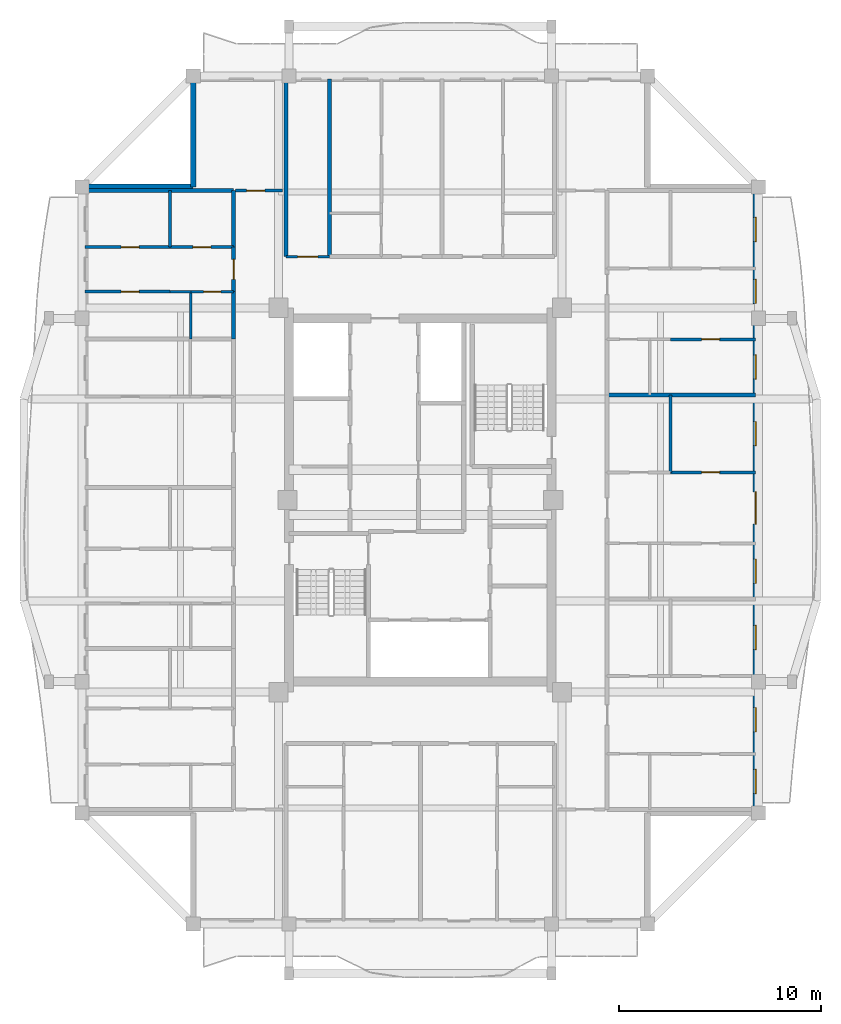
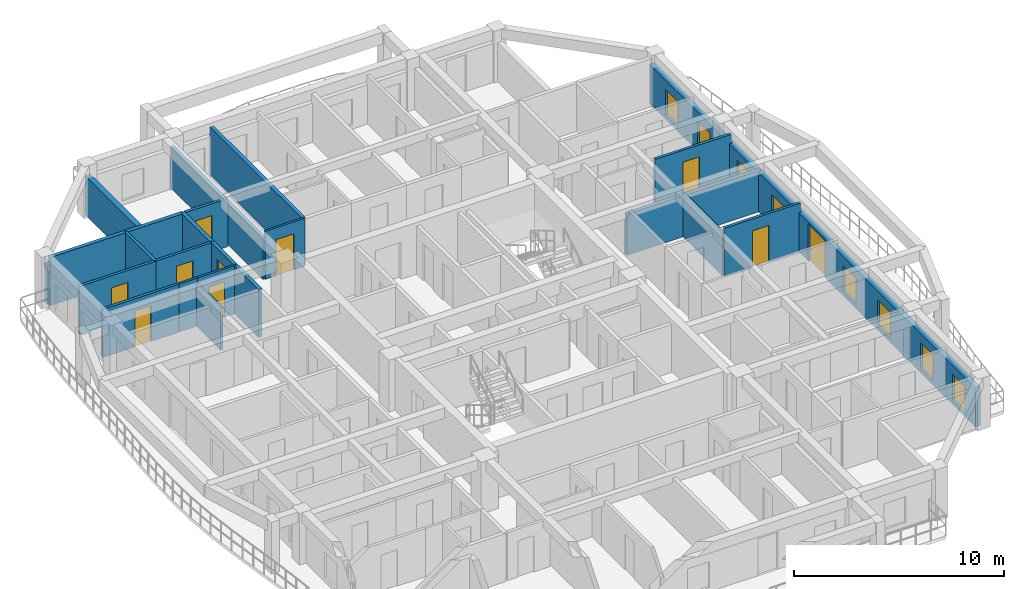
# One storey, part 6 of 14: 22 walls, 10 doors, 8 windows, 18 openings.
"""IFC4 building model written with IfcOpenShell, lengths in metres."""

from ifc_helpers import new_model, si_unit, direction, frame, frame_2d, origin, place, context, subcontext, project, spatial, rectangle, extrude, source, transform, mapped, material, layer, layer_set, type_object, element, fill, save


model = new_model("IFC4")

# Units and contexts
model_context = context("Model", 3, precision=1e-05, world=origin(), true_north=direction((0.0, 1.0)))
body_context = subcontext(model_context, "Body", "Model", "MODEL_VIEW")
ifc_project = project(units=[si_unit("LENGTHUNIT", "METRE"), si_unit("AREAUNIT", "SQUARE_METRE"), si_unit("VOLUMEUNIT", "CUBIC_METRE"), si_unit("PLANEANGLEUNIT", "RADIAN"), si_unit("MASSUNIT", "GRAM", prefix="KILO")], contexts=[model_context])

# Site, building, storey
site_placement = place(None, origin())
site = spatial("IfcSite", under=ifc_project, at=site_placement, CompositionType="ELEMENT")
building_placement = place(site_placement, origin())
building = spatial("IfcBuilding", under=site, at=building_placement, Name="Saelheon Loggia Tower", CompositionType="ELEMENT")
storey_placement = place(building_placement, frame((0.0, 0.0, 233.10009765625)))
storey = spatial("IfcBuildingStorey", under=building, at=storey_placement, Name="L72", CompositionType="ELEMENT", Elevation=233.10009765625)

# Wall, openings, windows, door
ifc_material_1 = material(Name="Architectural Precast Concrete C40/50", Category="concrete")
ifc_layer_1 = layer(ifc_material_1, 0.280029296875)
ifc_layer_set_1 = layer_set([ifc_layer_1], Name="Architectural Precast Concrete C40/50")
wall_type_1 = type_object("IfcWallType", Name="Wall_Ext_Loggia_280", PredefinedType="SOLIDWALL", material=ifc_layer_set_1)
wall_1_placement = place(storey_placement, frame((54.610107421875, 11.5, 0.0), z_axis=(0.0, 0.0, 1.0), x_axis=(0.0, 1.0, 0.0)))
wall_1 = element("IfcWall", 1, at=wall_1_placement, inside=storey, type_object=wall_type_1, Name="L72 East Loggia Inner Wall", PredefinedType="SOLIDWALL", context=body_context, shape_type="SweptSolid", body=[
    extrude(rectangle(XDim=31.0, YDim=0.280029296875, at=frame_2d((15.5, 0.0))), origin(), (0.0, 0.0, 1.0), 2.27978515625),
])
opening_1_placement = place(wall_1_placement, frame((0.9599609375, 0.0, 0.25)))
opening_1 = element("IfcOpeningElement", 2, at=opening_1_placement, cuts=wall_1, Name="Opening WN-03", PredefinedType="OPENING", context=body_context, shape_type="SweptSolid", body=[
    extrude(rectangle(XDim=1.199951171875, YDim=1.5, at=frame_2d((0.60009765625, 0.75))), frame((0.0, 0.152099609375, 0.0), z_axis=(0.0, -1.0, 0.0), x_axis=(1.0, 0.0, 0.0)), (0.0, 0.0, 1.0), 0.303955078125),
])
opening_2_placement = place(wall_1_placement, frame((4.02001953125, 0.0, 0.25)))
opening_2 = element("IfcOpeningElement", 3, at=opening_2_placement, cuts=wall_1, Name="Opening WN-03", PredefinedType="OPENING", context=body_context, shape_type="SweptSolid", body=[
    extrude(rectangle(XDim=1.199951171875, YDim=1.5, at=frame_2d((0.60009765625, 0.75))), frame((0.0, 0.152099609375, 0.0), z_axis=(0.0, -1.0, 0.0), x_axis=(1.0, 0.0, 0.0)), (0.0, 0.0, 1.0), 0.303955078125),
])
opening_3_placement = place(wall_1_placement, frame((8.0888671875, 0.0, 0.25)))
opening_3 = element("IfcOpeningElement", 4, at=opening_3_placement, cuts=wall_1, Name="Opening WN-03", PredefinedType="OPENING", context=body_context, shape_type="SweptSolid", body=[
    extrude(rectangle(XDim=1.199951171875, YDim=1.5, at=frame_2d((0.60009765625, 0.75))), frame((0.0, 0.152099609375, 0.0), z_axis=(0.0, -1.0, 0.0), x_axis=(1.0, 0.0, 0.0)), (0.0, 0.0, 1.0), 0.303955078125),
])
opening_4_placement = place(wall_1_placement, frame((11.37255859375, 0.0, 0.25)))
opening_4 = element("IfcOpeningElement", 5, at=opening_4_placement, cuts=wall_1, Name="Opening WN-03", PredefinedType="OPENING", context=body_context, shape_type="SweptSolid", body=[
    extrude(rectangle(XDim=1.199951171875, YDim=1.5, at=frame_2d((0.60009765625, 0.75))), frame((0.0, 0.152099609375, 0.0), z_axis=(0.0, -1.0, 0.0), x_axis=(1.0, 0.0, 0.0)), (0.0, 0.0, 1.0), 0.303955078125),
])
opening_5_placement = place(wall_1_placement, frame((15.906982421875, 0.0, 0.0), z_axis=(0.0, 0.0, 1.0), x_axis=(-1.0, 0.0, 0.0)))
opening_5 = element("IfcOpeningElement", 6, at=opening_5_placement, cuts=wall_1, Name="Opening DLG-1", PredefinedType="OPENING", context=body_context, shape_type="SweptSolid", body=[
    extrude(rectangle(XDim=1.60009765625, YDim=2.14990234375, at=frame_2d((0.800048828125, 1.074951171875))), frame((0.0, 0.152099609375, 0.0), z_axis=(0.0, -1.0, 0.0), x_axis=(1.0, 0.0, 0.0)), (0.0, 0.0, 1.0), 0.303955078125),
])
opening_6_placement = place(wall_1_placement, frame((18.1875, 0.0, 0.25)))
opening_6 = element("IfcOpeningElement", 7, at=opening_6_placement, cuts=wall_1, Name="Opening WN-03", PredefinedType="OPENING", context=body_context, shape_type="SweptSolid", body=[
    extrude(rectangle(XDim=1.199951171875, YDim=1.5, at=frame_2d((0.60009765625, 0.75))), frame((0.0, 0.152099609375, 0.0), z_axis=(0.0, -1.0, 0.0), x_axis=(1.0, 0.0, 0.0)), (0.0, 0.0, 1.0), 0.303955078125),
])
opening_7_placement = place(wall_1_placement, frame((21.48388671875, 0.0, 0.25)))
opening_7 = element("IfcOpeningElement", 8, at=opening_7_placement, cuts=wall_1, Name="Opening WN-03", PredefinedType="OPENING", context=body_context, shape_type="SweptSolid", body=[
    extrude(rectangle(XDim=1.199951171875, YDim=1.5, at=frame_2d((0.60009765625, 0.75))), frame((0.0, 0.152099609375, 0.0), z_axis=(0.0, -1.0, 0.0), x_axis=(1.0, 0.0, 0.0)), (0.0, 0.0, 1.0), 0.303955078125),
])
opening_8_placement = place(wall_1_placement, frame((25.23388671875, 0.0, 0.25)))
opening_8 = element("IfcOpeningElement", 9, at=opening_8_placement, cuts=wall_1, Name="Opening WN-03", PredefinedType="OPENING", context=body_context, shape_type="SweptSolid", body=[
    extrude(rectangle(XDim=1.199951171875, YDim=1.5, at=frame_2d((0.60009765625, 0.75))), frame((0.0, 0.152099609375, 0.0), z_axis=(0.0, -1.0, 0.0), x_axis=(1.0, 0.0, 0.0)), (0.0, 0.0, 1.0), 0.303955078125),
])
opening_9_placement = place(wall_1_placement, frame((28.293701171875, 0.0, 0.25)))
opening_9 = element("IfcOpeningElement", 10, at=opening_9_placement, cuts=wall_1, Name="Opening WN-03", PredefinedType="OPENING", context=body_context, shape_type="SweptSolid", body=[
    extrude(rectangle(XDim=1.199951171875, YDim=1.5, at=frame_2d((0.60009765625, 0.75))), frame((0.0, 0.152099609375, 0.0), z_axis=(0.0, -1.0, 0.0), x_axis=(1.0, 0.0, 0.0)), (0.0, 0.0, 1.0), 0.303955078125),
])
ifc_material_2 = material(Name="Thermal-Break Aluminium and Triple Low-E Glass", Category="aluminium")
window_type = type_object("IfcWindowType", Name="Win_Bedroom_1200x1500", PartitioningType="SINGLE_PANEL", PredefinedType="WINDOW", material=ifc_material_2)
shared_shape_1 = source(origin(), body_context, "Body", "SweptSolid", [
    extrude(rectangle(XDim=1.199951171875, YDim=1.5, at=frame_2d((0.60009765625, 0.75))), frame((0.0, 0.030029296875, 0.0), z_axis=(0.0, -1.0, 0.0), x_axis=(1.0, 0.0, 0.0)), (0.0, 0.0, 1.0), 0.06005859375),
])
window_1_placement = place(opening_1_placement, origin())
window_1 = element("IfcWindow", 11, at=window_1_placement, inside=storey, type_object=window_type, Name="L72 E Dwelling Window 1", OverallHeight=1.5, OverallWidth=1.199951171875, PartitioningType="SINGLE_PANEL", PredefinedType="WINDOW", context=body_context, shape_type="MappedRepresentation", body=[
    mapped(shared_shape_1, transform((0.0, 0.0, 0.0), scale=1.0)),
])
fill(opening_1, window_1)
window_2_placement = place(opening_2_placement, origin())
window_2 = element("IfcWindow", 12, at=window_2_placement, inside=storey, type_object=window_type, Name="L72 E Dwelling Window 2", OverallHeight=1.5, OverallWidth=1.199951171875, PartitioningType="SINGLE_PANEL", PredefinedType="WINDOW", context=body_context, shape_type="MappedRepresentation", body=[
    mapped(shared_shape_1, transform((0.0, 0.0, 0.0), scale=1.0)),
])
fill(opening_2, window_2)
window_3_placement = place(opening_3_placement, origin())
window_3 = element("IfcWindow", 13, at=window_3_placement, inside=storey, type_object=window_type, Name="L72 E Dwelling Window 3", OverallHeight=1.5, OverallWidth=1.199951171875, PartitioningType="SINGLE_PANEL", PredefinedType="WINDOW", context=body_context, shape_type="MappedRepresentation", body=[
    mapped(shared_shape_1, transform((0.0, 0.0, 0.0), scale=1.0)),
])
fill(opening_3, window_3)
window_4_placement = place(opening_4_placement, origin())
window_4 = element("IfcWindow", 14, at=window_4_placement, inside=storey, type_object=window_type, Name="L72 E Dwelling Window 4", OverallHeight=1.5, OverallWidth=1.199951171875, PartitioningType="SINGLE_PANEL", PredefinedType="WINDOW", context=body_context, shape_type="MappedRepresentation", body=[
    mapped(shared_shape_1, transform((0.0, 0.0, 0.0), scale=1.0)),
])
fill(opening_4, window_4)
window_5_placement = place(opening_6_placement, origin())
window_5 = element("IfcWindow", 15, at=window_5_placement, inside=storey, type_object=window_type, Name="L72 E Dwelling Window 6", OverallHeight=1.5, OverallWidth=1.199951171875, PartitioningType="SINGLE_PANEL", PredefinedType="WINDOW", context=body_context, shape_type="MappedRepresentation", body=[
    mapped(shared_shape_1, transform((0.0, 0.0, 0.0), scale=1.0)),
])
fill(opening_6, window_5)
window_6_placement = place(opening_7_placement, origin())
window_6 = element("IfcWindow", 16, at=window_6_placement, inside=storey, type_object=window_type, Name="L72 E Dwelling Window 7", OverallHeight=1.5, OverallWidth=1.199951171875, PartitioningType="SINGLE_PANEL", PredefinedType="WINDOW", context=body_context, shape_type="MappedRepresentation", body=[
    mapped(shared_shape_1, transform((0.0, 0.0, 0.0), scale=1.0)),
])
fill(opening_7, window_6)
window_7_placement = place(opening_8_placement, origin())
window_7 = element("IfcWindow", 17, at=window_7_placement, inside=storey, type_object=window_type, Name="L72 E Dwelling Window 8", OverallHeight=1.5, OverallWidth=1.199951171875, PartitioningType="SINGLE_PANEL", PredefinedType="WINDOW", context=body_context, shape_type="MappedRepresentation", body=[
    mapped(shared_shape_1, transform((0.0, 0.0, 0.0), scale=1.0)),
])
fill(opening_8, window_7)
window_8_placement = place(opening_9_placement, origin())
window_8 = element("IfcWindow", 18, at=window_8_placement, inside=storey, type_object=window_type, Name="L72 E Dwelling Window 9", OverallHeight=1.5, OverallWidth=1.199951171875, PartitioningType="SINGLE_PANEL", PredefinedType="WINDOW", context=body_context, shape_type="MappedRepresentation", body=[
    mapped(shared_shape_1, transform((0.0, 0.0, 0.0), scale=1.0)),
])
fill(opening_9, window_8)
ifc_material_3 = material(Name="Thermal-Break Aluminium Sliding Glazed Door", Category="aluminium")
door_type_1 = type_object("IfcDoorType", Name="Door_LoggiaSlide_1600", OperationType="SLIDING_TO_LEFT", PredefinedType="DOOR", material=ifc_material_3)
shared_shape_2 = source(origin(), body_context, "Body", "SweptSolid", [
    extrude(rectangle(XDim=1.60009765625, YDim=2.14990234375, at=frame_2d((0.800048828125, 1.074951171875))), frame((0.0, 0.02490234375, 0.0), z_axis=(0.0, -1.0, 0.0), x_axis=(1.0, 0.0, 0.0)), (0.0, 0.0, 1.0), 0.050048828125),
])
door_1_placement = place(opening_5_placement, origin())
door_1 = element("IfcDoor", 19, at=door_1_placement, inside=storey, type_object=door_type_1, Name="L72 E Loggia Access Door", OperationType="SLIDING_TO_LEFT", OverallHeight=2.14990234375, OverallWidth=1.60009765625, PredefinedType="DOOR", context=body_context, shape_type="MappedRepresentation", body=[
    mapped(shared_shape_2, transform((0.0, 0.0, 0.0), scale=1.0)),
])
fill(opening_5, door_1)

# Walls
for number, where, z_axis, x_axis, name in (
    (20, (26.75, 42.5, 0.0), (0.0, 0.0, 1.0), (0.0, 1.0, 0.0), "L72 Corner Notch Precast Wall NW1"),
    (21, (21.330078125, 42.5, 0.0), (0.0, 0.0, 1.0), (1.0, 0.0, 0.0), "L72 Corner Notch Precast Wall NW2"),
):
    element("IfcWall", number, at=place(storey_placement, frame(where, z_axis=z_axis, x_axis=x_axis)), inside=storey, type_object=wall_type_1, Name=name, PredefinedType="SOLIDWALL", context=body_context, shape_type="SweptSolid", body=[
        extrude(rectangle(XDim=5.419921875, YDim=0.280029296875, at=frame_2d((2.7099609375, 0.0))), origin(), (0.0, 0.0, 1.0), 2.27978515625),
    ])

# Wall, opening, door
ifc_material_4 = material(Name="Lightweight Autoclaved Aerated Concrete Block and Acoustic Gypsum", Category="concrete")
ifc_layer_2 = layer(ifc_material_4, 0.14990234375)
ifc_layer_set_2 = layer_set([ifc_layer_2], Name="Lightweight Autoclaved Aerated Concrete Block and Acoustic Gypsum")
wall_type_2 = type_object("IfcWallType", Name="Wall_Part_150", PredefinedType="PARTITIONING", material=ifc_layer_set_2)
wall_2_placement = place(storey_placement, frame((28.85009765625, 42.320068359375, 0.0), z_axis=(0.0, 0.0, 1.0), x_axis=(1.0, 0.0, 0.0)))
wall_2 = element("IfcWall", 22, at=wall_2_placement, inside=storey, type_object=wall_type_2, Name="PW-L72-CNW-H", PredefinedType="PARTITIONING", context=body_context, shape_type="SweptSolid", body=[
    extrude(rectangle(XDim=2.329833984375, YDim=0.14990234375, at=frame_2d((1.1650390625, 0.0))), origin(), (0.0, 0.0, 1.0), 2.789794921875),
])
opening_10_placement = place(wall_2_placement, frame((0.550048828125, 0.0, 0.0)))
opening_10 = element("IfcOpeningElement", 23, at=opening_10_placement, cuts=wall_2, Name="Opening D-IN2", PredefinedType="OPENING", context=body_context, shape_type="SweptSolid", body=[
    extrude(rectangle(XDim=0.89990234375, YDim=2.10009765625, at=frame_2d((0.449951171875, 1.050048828125))), frame((0.0, 0.0869140625, 0.0), z_axis=(0.0, -1.0, 0.0), x_axis=(1.0, 0.0, 0.0)), (0.0, 0.0, 1.0), 0.173828125),
])
ifc_material_5 = material(Name="Engineered Oak Flush Door", Category="timber")
door_type_2 = type_object("IfcDoorType", Name="Door_Int_900", OperationType="NOTDEFINED", PredefinedType="DOOR", material=ifc_material_5)
shared_shape_3 = source(origin(), body_context, "Body", "SweptSolid", [
    extrude(rectangle(XDim=0.89990234375, YDim=2.10009765625, at=frame_2d((0.449951171875, 1.050048828125))), frame((0.0, 0.02490234375, 0.0), z_axis=(0.0, -1.0, 0.0), x_axis=(1.0, 0.0, 0.0)), (0.0, 0.0, 1.0), 0.050048828125),
])
door_2_placement = place(opening_10_placement, origin())
door_2 = element("IfcDoor", 24, at=door_2_placement, inside=storey, type_object=door_type_2, Name="L72 Corner Home Office NW Door", OperationType="SINGLE_SWING_RIGHT", OverallHeight=2.10009765625, OverallWidth=0.89990234375, PredefinedType="DOOR", context=body_context, shape_type="MappedRepresentation", body=[
    mapped(shared_shape_3, transform((0.0, 0.0, 0.0), scale=1.0)),
])
fill(opening_10, door_2)

# Wall
wall_3_placement = place(storey_placement, frame((25.610107421875, 39.525634765625, 0.0), z_axis=(0.0, 0.0, 1.0), x_axis=(0.0, 1.0, 0.0)))
element("IfcWall", 25, at=wall_3_placement, inside=storey, type_object=wall_type_2, Name="L72 W Partition V36", PredefinedType="PARTITIONING", context=body_context, shape_type="SweptSolid", body=[
    extrude(rectangle(XDim=2.79443359375, YDim=0.14990234375, at=frame_2d((1.397216796875, 0.0))), origin(), (0.0, 0.0, 1.0), 2.789794921875),
])

# Wall, opening, door
wall_4_placement = place(storey_placement, frame((25.610107421875, 37.320068359375, 0.0), z_axis=(0.0, 0.0, 1.0), x_axis=(-1.0, 0.0, 0.0)))
wall_4 = element("IfcWall", 26, at=wall_4_placement, inside=storey, type_object=wall_type_2, Name="L72 W Partition U39", PredefinedType="PARTITIONING", context=body_context, shape_type="SweptSolid", body=[
    extrude(rectangle(XDim=4.210205078125, YDim=0.14990234375, at=frame_2d((2.10498046875, 0.0))), origin(), (0.0, 0.0, 1.0), 2.789794921875),
])
opening_11_placement = place(wall_4_placement, frame((1.537109375, 0.0, 0.0)))
opening_11 = element("IfcOpeningElement", 27, at=opening_11_placement, cuts=wall_4, Name="Opening D-IN2", PredefinedType="OPENING", context=body_context, shape_type="SweptSolid", body=[
    extrude(rectangle(XDim=0.89990234375, YDim=2.10009765625, at=frame_2d((0.449951171875, 1.050048828125))), frame((0.0, 0.0869140625, 0.0), z_axis=(0.0, -1.0, 0.0), x_axis=(1.0, 0.0, 0.0)), (0.0, 0.0, 1.0), 0.173828125),
])
door_3_placement = place(opening_11_placement, origin())
door_3 = element("IfcDoor", 28, at=door_3_placement, inside=storey, type_object=door_type_2, Name="Unit U08 Kitchen Door", OperationType="SINGLE_SWING_LEFT", OverallHeight=2.10009765625, OverallWidth=0.89990234375, PredefinedType="DOOR", context=body_context, shape_type="MappedRepresentation", body=[
    mapped(shared_shape_3, transform((0.0, 0.0, 0.0), scale=1.0)),
])
fill(opening_11, door_3)

wall_5_placement = place(storey_placement, frame((28.75, 39.525634765625, 0.0), z_axis=(0.0, 0.0, 1.0), x_axis=(-1.0, 0.0, 0.0)))
wall_5 = element("IfcWall", 29, at=wall_5_placement, inside=storey, type_object=wall_type_2, Name="L72 W Partition U40", PredefinedType="PARTITIONING", context=body_context, shape_type="SweptSolid", body=[
    extrude(rectangle(XDim=3.139892578125, YDim=0.14990234375, at=frame_2d((1.56982421875, 0.0))), origin(), (0.0, 0.0, 1.0), 2.789794921875),
])
opening_12_placement = place(wall_5_placement, frame((1.1201171875, 0.0, 0.0)))
opening_12 = element("IfcOpeningElement", 30, at=opening_12_placement, cuts=wall_5, Name="Opening D-IN2", PredefinedType="OPENING", context=body_context, shape_type="SweptSolid", body=[
    extrude(rectangle(XDim=0.89990234375, YDim=2.10009765625, at=frame_2d((0.449951171875, 1.050048828125))), frame((0.0, 0.0869140625, 0.0), z_axis=(0.0, -1.0, 0.0), x_axis=(1.0, 0.0, 0.0)), (0.0, 0.0, 1.0), 0.173828125),
])
door_4_placement = place(opening_12_placement, origin())
door_4 = element("IfcDoor", 31, at=door_4_placement, inside=storey, type_object=door_type_2, Name="Unit U08 Dressing Closet Door", OperationType="SINGLE_SWING_RIGHT", OverallHeight=2.10009765625, OverallWidth=0.89990234375, PredefinedType="DOOR", context=body_context, shape_type="MappedRepresentation", body=[
    mapped(shared_shape_3, transform((0.0, 0.0, 0.0), scale=1.0)),
])
fill(opening_12, door_4)

wall_6_placement = place(storey_placement, frame((25.610107421875, 39.525634765625, 0.0), z_axis=(0.0, 0.0, 1.0), x_axis=(-1.0, 0.0, 0.0)))
wall_6 = element("IfcWall", 32, at=wall_6_placement, inside=storey, type_object=wall_type_2, Name="L72 W Partition U41", PredefinedType="PARTITIONING", context=body_context, shape_type="SweptSolid", body=[
    extrude(rectangle(XDim=4.210205078125, YDim=0.14990234375, at=frame_2d((2.10498046875, 0.0))), origin(), (0.0, 0.0, 1.0), 2.789794921875),
])
opening_13_placement = place(wall_6_placement, frame((1.537109375, 0.0, 0.0)))
opening_13 = element("IfcOpeningElement", 33, at=opening_13_placement, cuts=wall_6, Name="Opening D-IN2", PredefinedType="OPENING", context=body_context, shape_type="SweptSolid", body=[
    extrude(rectangle(XDim=0.89990234375, YDim=2.10009765625, at=frame_2d((0.449951171875, 1.050048828125))), frame((0.0, 0.0869140625, 0.0), z_axis=(0.0, -1.0, 0.0), x_axis=(1.0, 0.0, 0.0)), (0.0, 0.0, 1.0), 0.173828125),
])
door_5_placement = place(opening_13_placement, origin())
door_5 = element("IfcDoor", 34, at=door_5_placement, inside=storey, type_object=door_type_2, Name="Unit U08 Bedroom 1 Door", OperationType="SINGLE_SWING_LEFT", OverallHeight=2.10009765625, OverallWidth=0.89990234375, PredefinedType="DOOR", context=body_context, shape_type="MappedRepresentation", body=[
    mapped(shared_shape_3, transform((0.0, 0.0, 0.0), scale=1.0)),
])
fill(opening_13, door_5)

# Wall
wall_7_placement = place(storey_placement, frame((50.389892578125, 28.366455078125, 0.0), z_axis=(0.0, 0.0, 1.0), x_axis=(0.0, 1.0, 0.0)))
element("IfcWall", 35, at=wall_7_placement, inside=storey, type_object=wall_type_2, Name="L72 E Partition V18", PredefinedType="PARTITIONING", context=body_context, shape_type="SweptSolid", body=[
    extrude(rectangle(XDim=3.84228515625, YDim=0.14990234375, at=frame_2d((1.921142578125, 0.0))), origin(), (0.0, 0.0, 1.0), 2.489990234375),
])

# Wall, opening, door
wall_8_placement = place(storey_placement, frame((50.389892578125, 28.366455078125, 0.0), z_axis=(0.0, 0.0, 1.0), x_axis=(1.0, 0.0, 0.0)))
wall_8 = element("IfcWall", 36, at=wall_8_placement, inside=storey, type_object=wall_type_2, Name="L72 E Partition U23", PredefinedType="PARTITIONING", context=body_context, shape_type="SweptSolid", body=[
    extrude(rectangle(XDim=4.210205078125, YDim=0.14990234375, at=frame_2d((2.10498046875, 0.0))), origin(), (0.0, 0.0, 1.0), 2.789794921875),
])
opening_14_placement = place(wall_8_placement, frame((1.537109375, 0.0, 0.0)))
opening_14 = element("IfcOpeningElement", 37, at=opening_14_placement, cuts=wall_8, Name="Opening D-IN2", PredefinedType="OPENING", context=body_context, shape_type="SweptSolid", body=[
    extrude(rectangle(XDim=0.89990234375, YDim=2.10009765625, at=frame_2d((0.449951171875, 1.050048828125))), frame((0.0, 0.0869140625, 0.0), z_axis=(0.0, -1.0, 0.0), x_axis=(1.0, 0.0, 0.0)), (0.0, 0.0, 1.0), 0.173828125),
])
door_6_placement = place(opening_14_placement, origin())
door_6 = element("IfcDoor", 38, at=door_6_placement, inside=storey, type_object=door_type_2, Name="Unit U10 Bedroom 1 Door", OperationType="SINGLE_SWING_LEFT", OverallHeight=2.10009765625, OverallWidth=0.89990234375, PredefinedType="DOOR", context=body_context, shape_type="MappedRepresentation", body=[
    mapped(shared_shape_3, transform((0.0, 0.0, 0.0), scale=1.0)),
])
fill(opening_14, door_6)

wall_9_placement = place(storey_placement, frame((50.389892578125, 34.958740234375, 0.0), z_axis=(0.0, 0.0, 1.0), x_axis=(1.0, 0.0, 0.0)))
wall_9 = element("IfcWall", 39, at=wall_9_placement, inside=storey, type_object=wall_type_2, Name="L72 E Partition U32", PredefinedType="PARTITIONING", context=body_context, shape_type="SweptSolid", body=[
    extrude(rectangle(XDim=4.210205078125, YDim=0.14990234375, at=frame_2d((2.10498046875, 0.0))), origin(), (0.0, 0.0, 1.0), 2.789794921875),
])
opening_15_placement = place(wall_9_placement, frame((1.537109375, 0.0, 0.0)))
opening_15 = element("IfcOpeningElement", 40, at=opening_15_placement, cuts=wall_9, Name="Opening D-IN2", PredefinedType="OPENING", context=body_context, shape_type="SweptSolid", body=[
    extrude(rectangle(XDim=0.89990234375, YDim=2.10009765625, at=frame_2d((0.449951171875, 1.050048828125))), frame((0.0, 0.0869140625, 0.0), z_axis=(0.0, -1.0, 0.0), x_axis=(1.0, 0.0, 0.0)), (0.0, 0.0, 1.0), 0.173828125),
])
door_7_placement = place(opening_15_placement, origin())
door_7 = element("IfcDoor", 41, at=door_7_placement, inside=storey, type_object=door_type_2, Name="Unit U11 Kitchen Door", OperationType="SINGLE_SWING_RIGHT", OverallHeight=2.10009765625, OverallWidth=0.89990234375, PredefinedType="DOOR", context=body_context, shape_type="MappedRepresentation", body=[
    mapped(shared_shape_3, transform((0.0, 0.0, 0.0), scale=1.0)),
])
fill(opening_15, door_7)

# Walls
ifc_material_6 = material(Name="Double Acoustic Stud and Fireboard Partition", Category="gypsum")
ifc_layer_3 = layer(ifc_material_6, 0.199951171875)
ifc_layer_set_3 = layer_set([ifc_layer_3], Name="Double Acoustic Stud and Fireboard Partition")
wall_type_3 = type_object("IfcWallType", Name="Wall_Party_200", PredefinedType="PARTITIONING", material=ifc_layer_set_3)
wall_10_placement = place(storey_placement, frame((31.35009765625, 39.050048828125, 0.0), z_axis=(0.0, 0.0, 1.0), x_axis=(0.0, 1.0, 0.0)))
element("IfcWall", 42, at=wall_10_placement, inside=storey, type_object=wall_type_3, Name="L72 N Partition U01", PredefinedType="PARTITIONING", context=body_context, shape_type="SweptSolid", body=[
    extrude(rectangle(XDim=8.800048828125, YDim=0.199951171875, at=frame_2d((4.39990234375, 0.0))), origin(), (0.0, 0.0, 1.0), 2.389892578125),
])
wall_11_placement = place(storey_placement, frame((33.5, 39.050048828125, 0.0), z_axis=(0.0, 0.0, 1.0), x_axis=(0.0, 1.0, 0.0)))
element("IfcWall", 43, at=wall_11_placement, inside=storey, type_object=wall_type_3, Name="L72 N Partition U03", PredefinedType="PARTITIONING", context=body_context, shape_type="SweptSolid", body=[
    extrude(rectangle(XDim=8.800048828125, YDim=0.199951171875, at=frame_2d((4.39990234375, 0.0))), origin(), (0.0, 0.0, 1.0), 2.789794921875),
])
wall_12_placement = place(storey_placement, frame((28.75, 42.320068359375, 0.0), z_axis=(0.0, 0.0, 1.0), x_axis=(-1.0, 0.0, 0.0)))
element("IfcWall", 44, at=wall_12_placement, inside=storey, type_object=wall_type_3, Name="L72 W Partition U02", PredefinedType="PARTITIONING", context=body_context, shape_type="SweptSolid", body=[
    extrude(rectangle(XDim=7.35009765625, YDim=0.199951171875, at=frame_2d((3.675048828125, 0.0))), origin(), (0.0, 0.0, 1.0), 2.789794921875),
])
wall_13_placement = place(storey_placement, frame((28.75, 34.96630859375, 0.0), z_axis=(0.0, 0.0, 1.0), x_axis=(0.0, 1.0, 0.0)))
element("IfcWall", 45, at=wall_13_placement, inside=storey, type_object=wall_type_3, Name="L72 W Partition V32", PredefinedType="PARTITIONING", context=body_context, shape_type="SweptSolid", body=[
    extrude(rectangle(XDim=2.353759765625, YDim=0.199951171875, at=frame_2d((1.1767578125, 0.0))), origin(), (0.0, 0.0, 1.0), 2.789794921875),
])

# Wall, opening, door
wall_14_placement = place(storey_placement, frame((28.75, 37.320068359375, 0.0), z_axis=(0.0, 0.0, 1.0), x_axis=(0.0, 1.0, 0.0)))
wall_14 = element("IfcWall", 46, at=wall_14_placement, inside=storey, type_object=wall_type_3, Name="L72 W Partition V33", PredefinedType="PARTITIONING", context=body_context, shape_type="SweptSolid", body=[
    extrude(rectangle(XDim=2.20556640625, YDim=0.199951171875, at=frame_2d((1.102783203125, 0.0))), origin(), (0.0, 0.0, 1.0), 2.789794921875),
])
opening_16_placement = place(wall_14_placement, frame((0.602783203125, 0.0, 0.0)))
opening_16 = element("IfcOpeningElement", 47, at=opening_16_placement, cuts=wall_14, Name="Opening D-FD1", PredefinedType="OPENING", context=body_context, shape_type="SweptSolid", body=[
    extrude(rectangle(XDim=1.0, YDim=2.14990234375, at=frame_2d((0.5, 1.074951171875))), frame((0.0, 0.112060546875, 0.0), z_axis=(0.0, -1.0, 0.0), x_axis=(1.0, 0.0, 0.0)), (0.0, 0.0, 1.0), 0.223876953125),
])
ifc_material_7 = material(Name="Fire-Rated Engineered Timber Entrance Door", Category="wood")
door_type_3 = type_object("IfcDoorType", Name="Door_Flat_FD30S", OperationType="NOTDEFINED", PredefinedType="DOOR", material=ifc_material_7)
shared_shape_4 = source(origin(), body_context, "Body", "SweptSolid", [
    extrude(rectangle(XDim=1.0, YDim=2.14990234375, at=frame_2d((0.5, 1.074951171875))), frame((0.0, 0.02490234375, 0.0), z_axis=(0.0, -1.0, 0.0), x_axis=(1.0, 0.0, 0.0)), (0.0, 0.0, 1.0), 0.050048828125),
])
door_8_placement = place(opening_16_placement, origin())
door_8 = element("IfcDoor", 48, at=door_8_placement, inside=storey, type_object=door_type_3, Name="Unit U08 Entrance Door", OperationType="SINGLE_SWING_LEFT", OverallHeight=2.14990234375, OverallWidth=1.0, PredefinedType="DOOR", context=body_context, shape_type="MappedRepresentation", body=[
    mapped(shared_shape_4, transform((0.0, 0.0, 0.0), scale=1.0)),
])
fill(opening_16, door_8)

# Walls
wall_15_placement = place(storey_placement, frame((28.75, 39.525634765625, 0.0), z_axis=(0.0, 0.0, 1.0), x_axis=(0.0, 1.0, 0.0)))
element("IfcWall", 49, at=wall_15_placement, inside=storey, type_object=wall_type_3, Name="L72 W Partition V34", PredefinedType="PARTITIONING", context=body_context, shape_type="SweptSolid", body=[
    extrude(rectangle(XDim=2.79443359375, YDim=0.199951171875, at=frame_2d((1.397216796875, 0.0))), origin(), (0.0, 0.0, 1.0), 2.789794921875),
])
wall_16_placement = place(storey_placement, frame((47.25, 32.208740234375, 0.0), z_axis=(0.0, 0.0, 1.0), x_axis=(1.0, 0.0, 0.0)))
element("IfcWall", 50, at=wall_16_placement, inside=storey, type_object=wall_type_3, Name="L72 E Partition U24", PredefinedType="PARTITIONING", context=body_context, shape_type="SweptSolid", body=[
    extrude(rectangle(XDim=7.35009765625, YDim=0.199951171875, at=frame_2d((3.675048828125, 0.0))), origin(), (0.0, 0.0, 1.0), 2.389892578125),
])

# Wall, opening, door
ifc_material_8 = material(Name="Moisture-Resistant Cement Board Partition", Category="gypsum")
ifc_layer_4 = layer(ifc_material_8, 0.1201171875)
ifc_layer_set_4 = layer_set([ifc_layer_4], Name="Moisture-Resistant Cement Board Partition")
wall_type_4 = type_object("IfcWallType", Name="Wall_WetPart_120", PredefinedType="PARTITIONING", material=ifc_layer_set_4)
wall_17_placement = place(storey_placement, frame((31.35009765625, 39.050048828125, 0.0), z_axis=(0.0, 0.0, 1.0), x_axis=(1.0, 0.0, 0.0)))
wall_17 = element("IfcWall", 51, at=wall_17_placement, inside=storey, type_object=wall_type_4, Name="L72 N Partition V04", PredefinedType="PARTITIONING", context=body_context, shape_type="SweptSolid", body=[
    extrude(rectangle(XDim=2.14990234375, YDim=0.1201171875, at=frame_2d((1.074951171875, 0.0))), origin(), (0.0, 0.0, 1.0), 2.789794921875),
])
opening_17_placement = place(wall_17_placement, frame((0.574951171875, 0.0, 0.0)))
opening_17 = element("IfcOpeningElement", 52, at=opening_17_placement, cuts=wall_17, Name="Opening D-AC1", PredefinedType="OPENING", context=body_context, shape_type="SweptSolid", body=[
    extrude(rectangle(XDim=1.0, YDim=2.10009765625, at=frame_2d((0.5, 1.050048828125))), frame((0.0, 0.072021484375, 0.0), z_axis=(0.0, -1.0, 0.0), x_axis=(1.0, 0.0, 0.0)), (0.0, 0.0, 1.0), 0.14404296875),
])
ifc_material_9 = material(Name="Accessible Laminate Flush Door", Category="timber")
door_type_4 = type_object("IfcDoorType", Name="Door_Acc_1000", OperationType="NOTDEFINED", PredefinedType="DOOR", material=ifc_material_9)
shared_shape_5 = source(origin(), body_context, "Body", "SweptSolid", [
    extrude(rectangle(XDim=1.0, YDim=2.10009765625, at=frame_2d((0.5, 1.050048828125))), frame((0.0, 0.02490234375, 0.0), z_axis=(0.0, -1.0, 0.0), x_axis=(1.0, 0.0, 0.0)), (0.0, 0.0, 1.0), 0.050048828125),
])
door_9_placement = place(opening_17_placement, origin())
door_9 = element("IfcDoor", 53, at=door_9_placement, inside=storey, type_object=door_type_4, Name="L72 Floor Accessible WC Door", OperationType="SINGLE_SWING_LEFT", OverallHeight=2.10009765625, OverallWidth=1.0, PredefinedType="DOOR", context=body_context, shape_type="MappedRepresentation", body=[
    mapped(shared_shape_5, transform((0.0, 0.0, 0.0), scale=1.0)),
])
fill(opening_17, door_9)

# Wall
wall_18_placement = place(storey_placement, frame((26.6298828125, 34.96630859375, 0.0), z_axis=(0.0, 0.0, 1.0), x_axis=(0.0, 1.0, 0.0)))
element("IfcWall", 54, at=wall_18_placement, inside=storey, type_object=wall_type_4, Name="L72 W Partition V35", PredefinedType="PARTITIONING", context=body_context, shape_type="SweptSolid", body=[
    extrude(rectangle(XDim=2.353759765625, YDim=0.1201171875, at=frame_2d((1.1767578125, 0.0))), origin(), (0.0, 0.0, 1.0), 2.489990234375),
])

# Wall, opening, door
wall_19_placement = place(storey_placement, frame((28.75, 37.320068359375, 0.0), z_axis=(0.0, 0.0, 1.0), x_axis=(-1.0, 0.0, 0.0)))
wall_19 = element("IfcWall", 55, at=wall_19_placement, inside=storey, type_object=wall_type_4, Name="L72 W Partition U37", PredefinedType="PARTITIONING", context=body_context, shape_type="SweptSolid", body=[
    extrude(rectangle(XDim=2.1201171875, YDim=0.1201171875, at=frame_2d((1.06005859375, 0.0))), origin(), (0.0, 0.0, 1.0), 2.789794921875),
])
opening_18_placement = place(wall_19_placement, frame((0.635009765625, 0.0, 0.0)))
opening_18 = element("IfcOpeningElement", 56, at=opening_18_placement, cuts=wall_19, Name="Opening D-BT1", PredefinedType="OPENING", context=body_context, shape_type="SweptSolid", body=[
    extrude(rectangle(XDim=0.85009765625, YDim=2.050048828125, at=frame_2d((0.425048828125, 1.02490234375))), frame((0.0, 0.072021484375, 0.0), z_axis=(0.0, -1.0, 0.0), x_axis=(1.0, 0.0, 0.0)), (0.0, 0.0, 1.0), 0.14404296875),
])
ifc_material_10 = material(Name="Moisture-Resistant Laminate Timber Door", Category="wood")
door_type_5 = type_object("IfcDoorType", Name="Door_Bath_850", OperationType="NOTDEFINED", PredefinedType="DOOR", material=ifc_material_10)
shared_shape_6 = source(origin(), body_context, "Body", "SweptSolid", [
    extrude(rectangle(XDim=0.85009765625, YDim=2.050048828125, at=frame_2d((0.425048828125, 1.02490234375))), frame((0.0, 0.02490234375, 0.0), z_axis=(0.0, -1.0, 0.0), x_axis=(1.0, 0.0, 0.0)), (0.0, 0.0, 1.0), 0.050048828125),
])
door_10_placement = place(opening_18_placement, origin())
door_10 = element("IfcDoor", 57, at=door_10_placement, inside=storey, type_object=door_type_5, Name="Unit U08 Bathroom Door", OperationType="SINGLE_SWING_RIGHT", OverallHeight=2.050048828125, OverallWidth=0.85009765625, PredefinedType="DOOR", context=body_context, shape_type="MappedRepresentation", body=[
    mapped(shared_shape_6, transform((0.0, 0.0, 0.0), scale=1.0)),
])
fill(opening_18, door_10)

# Wall
wall_20_placement = place(storey_placement, frame((26.6298828125, 37.320068359375, 0.0), z_axis=(0.0, 0.0, 1.0), x_axis=(-1.0, 0.0, 0.0)))
element("IfcWall", 58, at=wall_20_placement, inside=storey, type_object=wall_type_4, Name="L72 W Partition U38", PredefinedType="PARTITIONING", context=body_context, shape_type="SweptSolid", body=[
    extrude(rectangle(XDim=1.019775390625, YDim=0.1201171875, at=frame_2d((0.509765625, 0.0))), origin(), (0.0, 0.0, 1.0), 2.789794921875),
])

save(model, "model.ifc")
